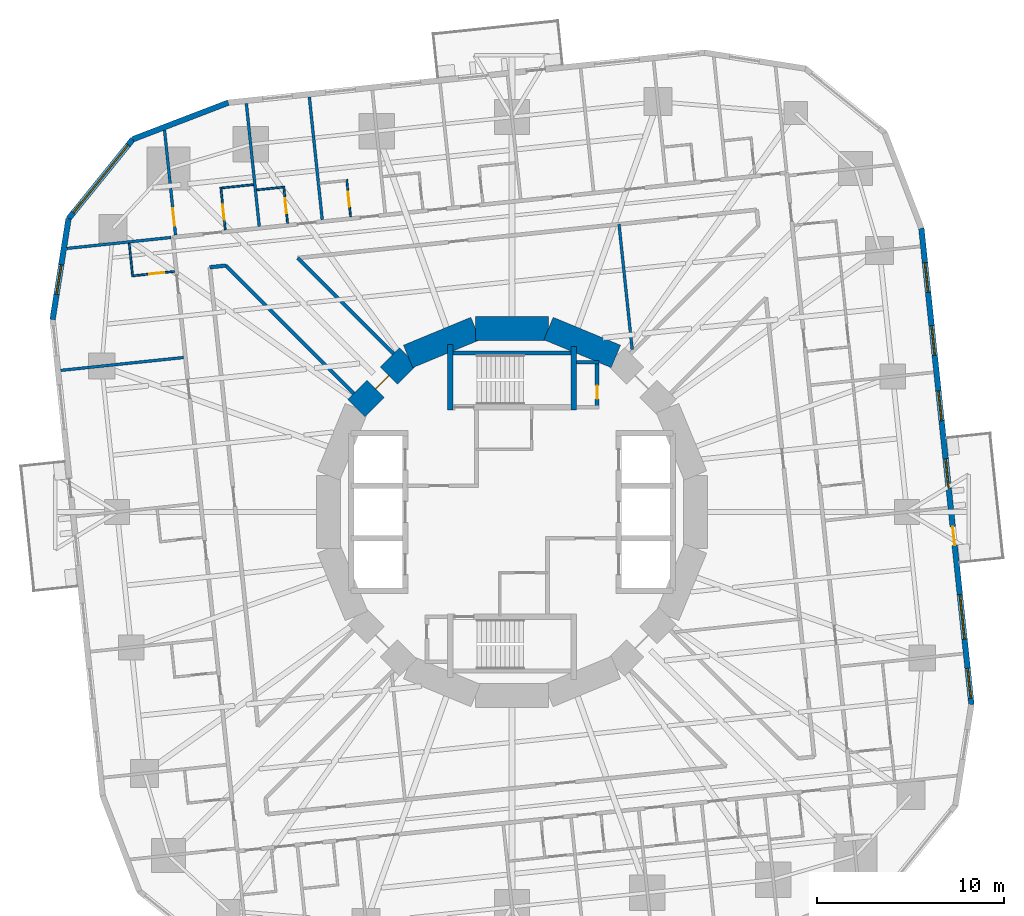
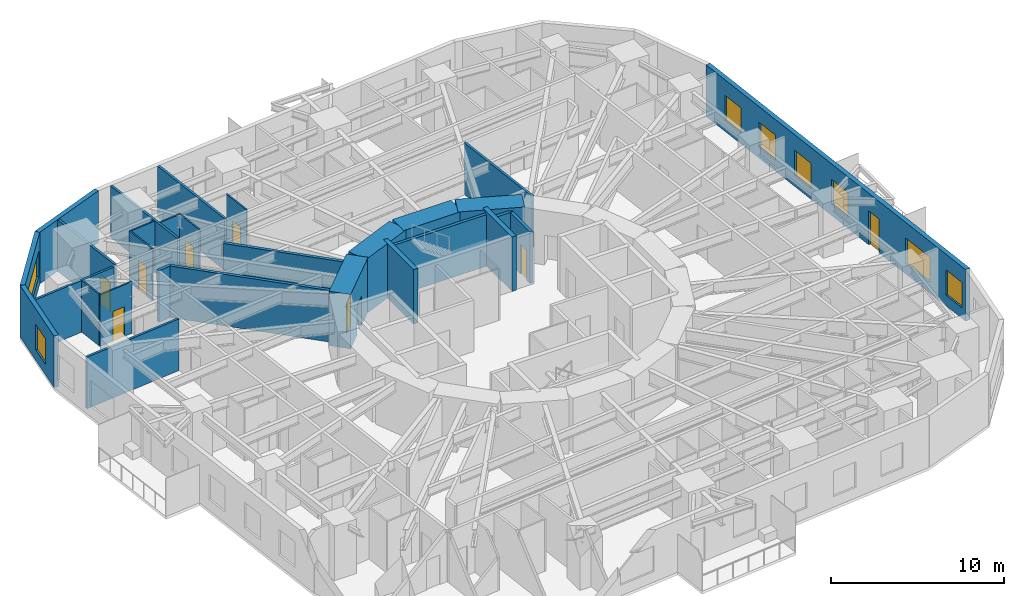
# One storey, part 9 of 13: 29 walls, 8 doors, 8 windows, 16 openings.
"""IFC4 building model written with IfcOpenShell, lengths in metres."""

from ifc_helpers import new_model, si_unit, direction, frame, frame_2d, origin, place, context, subcontext, project, spatial, rectangle, extrude, material, layer, layer_set, type_object, element, fill, save


model = new_model("IFC4")

# Units and contexts
model_context = context("Model", 3, precision=1e-05, world=origin(), true_north=direction((0.0, 1.0)))
body_context = subcontext(model_context, "Body", "Model", "MODEL_VIEW")
ifc_project = project(units=[si_unit("LENGTHUNIT", "METRE"), si_unit("AREAUNIT", "SQUARE_METRE"), si_unit("VOLUMEUNIT", "CUBIC_METRE"), si_unit("PLANEANGLEUNIT", "RADIAN"), si_unit("MASSUNIT", "GRAM", prefix="KILO")], contexts=[model_context])

# Site, building, storey
site_placement = place(None, origin())
site = spatial("IfcSite", under=ifc_project, at=site_placement, CompositionType="ELEMENT")
building_placement = place(site_placement, origin())
building = spatial("IfcBuilding", under=site, at=building_placement, Name="Nakasero Lantern House", CompositionType="ELEMENT")
storey_placement = place(building_placement, frame((0.0, 0.0, 75.89990234375)))
storey = spatial("IfcBuildingStorey", under=building, at=storey_placement, Name="L18", CompositionType="ELEMENT", Elevation=75.89990234375)

# Walls
ifc_material_1 = material(Name="Concrete C50/60", Category="concrete")
ifc_layer_1 = layer(ifc_material_1, 0.300048828125)
ifc_layer_set_1 = layer_set([ifc_layer_1], Name="Core inner wall 300")
wall_type_1 = type_object("IfcWallType", Name="Core inner wall 300", PredefinedType="SHEAR", material=ifc_layer_set_1)
wall_1_placement = place(storey_placement, frame((-3.300048828125, 5.449951171875, 0.0), z_axis=(0.0, 0.0, 1.0), x_axis=(0.0, 1.0, 0.0)))
element("IfcWall", 1, at=wall_1_placement, inside=storey, type_object=wall_type_1, Name="Core inner wall L18 SNW", PredefinedType="SHEAR", context=body_context, shape_type="SweptSolid", body=[
    extrude(rectangle(XDim=3.5, YDim=0.300048828125, at=frame_2d((1.75, 0.0))), origin(), (0.0, 0.0, 1.0), 3.85009765625),
])
wall_2_placement = place(storey_placement, frame((3.300048828125, 5.449951171875, 0.0), z_axis=(0.0, 0.0, 1.0), x_axis=(0.0, 1.0, 0.0)))
element("IfcWall", 2, at=wall_2_placement, inside=storey, type_object=wall_type_1, Name="Core inner wall L18 SNE", PredefinedType="SHEAR", context=body_context, shape_type="SweptSolid", body=[
    extrude(rectangle(XDim=3.400146484375, YDim=0.300048828125, at=frame_2d((1.7001953125, 0.0))), origin(), (0.0, 0.0, 1.0), 3.85009765625),
])
ifc_material_2 = material(Name="Concrete C50/60", Category="concrete")
ifc_layer_2 = layer(ifc_material_2, 1.300048828125)
ifc_layer_set_2 = layer_set([ifc_layer_2], Name="Core wall 1300")
wall_type_2 = type_object("IfcWallType", Name="Core wall 1300", PredefinedType="SHEAR", material=ifc_layer_set_2)
for number, where, z_axis, x_axis, name in (
    (3, (5.5556640625, 8.314697265625, 0.0), (0.0, 0.0, 1.0), (-0.923876507187, 0.382690736062, 0.0), "Core wall L18 facet 3"),
    (4, (1.950927734375, 9.807861328125, 0.0), (0.0, 0.0, 1.0), (-1.0, 0.0, 0.0), "Core wall L18 facet 4"),
    (5, (-1.950927734375, 9.807861328125, 0.0), (0.0, 0.0, 1.0), (-0.923876507187, -0.382690736062, 0.0), "Core wall L18 facet 5"),
):
    element("IfcWall", number, at=place(storey_placement, frame(where, z_axis=z_axis, x_axis=x_axis)), inside=storey, type_object=wall_type_2, Name=name, PredefinedType="SHEAR", context=body_context, shape_type="SweptSolid", body=[
        extrude(rectangle(XDim=3.90185546875, YDim=1.300048828125, at=frame_2d((1.950927734375, 0.0))), origin(), (0.0, 0.0, 1.0), 3.85009765625),
    ])

# Wall, opening, door
wall_3_placement = place(storey_placement, frame((-5.5556640625, 8.314697265625, 0.0), z_axis=(0.0, 0.0, 1.0), x_axis=(-0.707106781187, -0.707106781187, 0.0)))
wall_3 = element("IfcWall", 6, at=wall_3_placement, inside=storey, type_object=wall_type_2, Name="Core wall L18 facet 6", PredefinedType="SHEAR", context=body_context, shape_type="SweptSolid", body=[
    extrude(rectangle(XDim=3.90185546875, YDim=1.300048828125, at=frame_2d((1.950927734375, 0.0))), origin(), (0.0, 0.0, 1.0), 3.85009765625),
])
opening_1_placement = place(wall_3_placement, frame((1.450927734375, 0.0, 0.0)))
opening_1 = element("IfcOpeningElement", 7, at=opening_1_placement, cuts=wall_3, Name="Opening D05", PredefinedType="OPENING", context=body_context, shape_type="SweptSolid", body=[
    extrude(rectangle(XDim=1.0, YDim=2.10009765625, at=frame_2d((0.5, 1.050048828125))), frame((0.0, 0.669921875, 0.0), z_axis=(0.0, -1.0, 0.0), x_axis=(1.0, 0.0, 0.0)), (0.0, 0.0, 1.0), 1.340087890625),
])
ifc_material_3 = material(Name="Timber C24", Category="wood")
door_type_1 = type_object("IfcDoorType", Name="Core door FD60S 1000", OperationType="SINGLE_SWING_LEFT", PredefinedType="DOOR", material=ifc_material_3)
door_1_placement = place(opening_1_placement, origin())
door_1 = element("IfcDoor", 8, at=door_1_placement, inside=storey, type_object=door_type_1, Name="Door L18 D-CORE06", OperationType="SINGLE_SWING_LEFT", OverallHeight=2.10009765625, OverallWidth=1.0, PredefinedType="DOOR", context=body_context, shape_type="SweptSolid", body=[
    extrude(rectangle(XDim=1.0, YDim=2.10009765625, at=frame_2d((0.5, 1.050048828125))), frame((0.0, 0.02490234375, 0.0), z_axis=(0.0, -1.0, 0.0), x_axis=(1.0, 0.0, 0.0)), (0.0, 0.0, 1.0), 0.050048828125),
])
fill(opening_1, door_1)

# Walls
ifc_material_4 = material(Name="Blockwork", Category="masonry")
ifc_layer_3 = layer(ifc_material_4, 0.199951171875)
ifc_layer_set_3 = layer_set([ifc_layer_3], Name="Corridor wall 200")
wall_type_3 = type_object("IfcWallType", Name="Corridor wall 200", PredefinedType="PARTITIONING", material=ifc_layer_set_3)
wall_4_placement = place(storey_placement, frame((-8.45556640625, 6.334228515625, 0.0), z_axis=(0.0, 0.0, 1.0), x_axis=(-0.707106781187, 0.707106781187, 0.0)))
element("IfcWall", 9, at=wall_4_placement, inside=storey, type_object=wall_type_3, Name="Corridor wall L18 PS06a", PredefinedType="PARTITIONING", context=body_context, shape_type="SweptSolid", body=[
    extrude(rectangle(XDim=9.671875, YDim=0.199951171875, at=frame_2d((4.8359375, 0.0))), origin(), (0.0, 0.0, 1.0), 3.650146484375),
])
wall_5_placement = place(storey_placement, frame((-6.334228515625, 8.45556640625, 0.0), z_axis=(0.0, 0.0, 1.0), x_axis=(-0.707106781187, 0.707106781187, 0.0)))
element("IfcWall", 10, at=wall_5_placement, inside=storey, type_object=wall_type_3, Name="Corridor wall L18 PS06b", PredefinedType="PARTITIONING", context=body_context, shape_type="SweptSolid", body=[
    extrude(rectangle(XDim=7.24267578125, YDim=0.199951171875, at=frame_2d((3.621337890625, 0.0))), origin(), (0.0, 0.0, 1.0), 3.650146484375),
])
wall_6_placement = place(storey_placement, frame((-16.156005859375, 13.0830078125, 0.0), z_axis=(0.0, 0.0, 1.0), x_axis=(0.994545540927, 0.104303245505, 0.0)))
element("IfcWall", 11, at=wall_6_placement, inside=storey, type_object=wall_type_3, Name="Corridor wall L18 IW2-0R0", PredefinedType="PARTITIONING", context=body_context, shape_type="SweptSolid", body=[
    extrude(rectangle(XDim=0.865966796875, YDim=0.199951171875, at=frame_2d((0.43310546875, 0.0))), origin(), (0.0, 0.0, 1.0), 3.650146484375),
])

# Wall, opening, door
ifc_material_5 = material(Name="Blockwork", Category="masonry")
ifc_layer_4 = layer(ifc_material_5, 0.10009765625)
ifc_layer_set_4 = layer_set([ifc_layer_4], Name="En-suite wall 100")
wall_type_4 = type_object("IfcWallType", Name="En-suite wall 100", PredefinedType="PARTITIONING", material=ifc_layer_set_4)
wall_7_placement = place(storey_placement, frame((-8.627685546875, 15.78466796875, 0.0), z_axis=(0.0, 0.0, 1.0), x_axis=(-0.104614886044, 0.994512808172, 0.0)))
wall_7 = element("IfcWall", 12, at=wall_7_placement, inside=storey, type_object=wall_type_4, Name="En-suite wall L18 ES1-06", PredefinedType="PARTITIONING", context=body_context, shape_type="SweptSolid", body=[
    extrude(rectangle(XDim=2.0, YDim=0.10009765625, at=frame_2d((1.0, 0.0))), origin(), (0.0, 0.0, 1.0), 3.650146484375),
])
opening_2_placement = place(wall_7_placement, frame((0.550048828125, 0.0, 0.0)))
opening_2 = element("IfcOpeningElement", 13, at=opening_2_placement, cuts=wall_7, Name="Opening D02", PredefinedType="OPENING", context=body_context, shape_type="SweptSolid", body=[
    extrude(rectangle(XDim=0.800048828125, YDim=2.10009765625, at=frame_2d((0.39990234375, 1.050048828125))), frame((0.0, 0.070068359375, 0.0), z_axis=(0.0, -1.0, 0.0), x_axis=(1.0, 0.0, 0.0)), (0.0, 0.0, 1.0), 0.14013671875),
])
ifc_material_6 = material(Name="Timber C24", Category="wood")
door_type_2 = type_object("IfcDoorType", Name="En-suite door 800", OperationType="SINGLE_SWING_RIGHT", PredefinedType="DOOR", material=ifc_material_6)
door_2_placement = place(opening_2_placement, origin())
door_2 = element("IfcDoor", 14, at=door_2_placement, inside=storey, type_object=door_type_2, Name="Door L18 DE1-06", OperationType="SINGLE_SWING_LEFT", OverallHeight=2.10009765625, OverallWidth=0.800048828125, PredefinedType="DOOR", context=body_context, shape_type="SweptSolid", body=[
    extrude(rectangle(XDim=0.800048828125, YDim=2.10009765625, at=frame_2d((0.39990234375, 1.050048828125))), frame((0.0, 0.02490234375, 0.0), z_axis=(0.0, -1.0, 0.0), x_axis=(1.0, 0.0, 0.0)), (0.0, 0.0, 1.0), 0.050048828125),
])
fill(opening_2, door_2)

wall_8_placement = place(storey_placement, frame((-11.994873046875, 15.4306640625, 0.0), z_axis=(0.0, 0.0, 1.0), x_axis=(-0.104494148666, 0.99452550138, 0.0)))
wall_8 = element("IfcWall", 15, at=wall_8_placement, inside=storey, type_object=wall_type_4, Name="En-suite wall L18 ES1-07", PredefinedType="PARTITIONING", context=body_context, shape_type="SweptSolid", body=[
    extrude(rectangle(XDim=2.0, YDim=0.10009765625, at=frame_2d((1.0, 0.0))), origin(), (0.0, 0.0, 1.0), 3.650146484375),
])
opening_3_placement = place(wall_8_placement, frame((0.550048828125, 0.0, 0.0)))
opening_3 = element("IfcOpeningElement", 16, at=opening_3_placement, cuts=wall_8, Name="Opening D02", PredefinedType="OPENING", context=body_context, shape_type="SweptSolid", body=[
    extrude(rectangle(XDim=0.800048828125, YDim=2.10009765625, at=frame_2d((0.39990234375, 1.050048828125))), frame((0.0, 0.070068359375, 0.0), z_axis=(0.0, -1.0, 0.0), x_axis=(1.0, 0.0, 0.0)), (0.0, 0.0, 1.0), 0.14013671875),
])
door_3_placement = place(opening_3_placement, origin())
door_3 = element("IfcDoor", 17, at=door_3_placement, inside=storey, type_object=door_type_2, Name="Door L18 DE1-07", OperationType="SINGLE_SWING_LEFT", OverallHeight=2.10009765625, OverallWidth=0.800048828125, PredefinedType="DOOR", context=body_context, shape_type="SweptSolid", body=[
    extrude(rectangle(XDim=0.800048828125, YDim=2.10009765625, at=frame_2d((0.39990234375, 1.050048828125))), frame((0.0, 0.02490234375, 0.0), z_axis=(0.0, -1.0, 0.0), x_axis=(1.0, 0.0, 0.0)), (0.0, 0.0, 1.0), 0.050048828125),
])
fill(opening_3, door_3)

# Wall
wall_9_placement = place(storey_placement, frame((-12.248291015625, 17.36474609375, 0.0), z_axis=(0.0, 0.0, 1.0), x_axis=(-0.994529315664, -0.104457839748, 0.0)))
element("IfcWall", 18, at=wall_9_placement, inside=storey, type_object=wall_type_4, Name="En-suite wall L18 EE1-07", PredefinedType="PARTITIONING", context=body_context, shape_type="SweptSolid", body=[
    extrude(rectangle(XDim=1.39990234375, YDim=0.10009765625, at=frame_2d((0.699951171875, 0.0))), origin(), (0.0, 0.0, 1.0), 3.650146484375),
])

# Wall, opening, door
wall_10_placement = place(storey_placement, frame((-15.326416015625, 15.08056640625, 0.0), z_axis=(0.0, 0.0, 1.0), x_axis=(-0.104557694553, 0.994518822602, 0.0)))
wall_10 = element("IfcWall", 19, at=wall_10_placement, inside=storey, type_object=wall_type_4, Name="En-suite wall L18 ES1-08", PredefinedType="PARTITIONING", context=body_context, shape_type="SweptSolid", body=[
    extrude(rectangle(XDim=2.300048828125, YDim=0.10009765625, at=frame_2d((1.14990234375, 0.0))), origin(), (0.0, 0.0, 1.0), 3.650146484375),
])
opening_4_placement = place(wall_10_placement, frame((0.550048828125, 0.0, 0.0)))
opening_4 = element("IfcOpeningElement", 20, at=opening_4_placement, cuts=wall_10, Name="Opening D02", PredefinedType="OPENING", context=body_context, shape_type="SweptSolid", body=[
    extrude(rectangle(XDim=0.800048828125, YDim=2.10009765625, at=frame_2d((0.39990234375, 1.050048828125))), frame((0.0, 0.070068359375, 0.0), z_axis=(0.0, -1.0, 0.0), x_axis=(1.0, 0.0, 0.0)), (0.0, 0.0, 1.0), 0.14013671875),
])
door_4_placement = place(opening_4_placement, origin())
door_4 = element("IfcDoor", 21, at=door_4_placement, inside=storey, type_object=door_type_2, Name="Door L18 DE1-08", OperationType="SINGLE_SWING_LEFT", OverallHeight=2.10009765625, OverallWidth=0.800048828125, PredefinedType="DOOR", context=body_context, shape_type="SweptSolid", body=[
    extrude(rectangle(XDim=0.800048828125, YDim=2.10009765625, at=frame_2d((0.39990234375, 1.050048828125))), frame((0.0, 0.02490234375, 0.0), z_axis=(0.0, -1.0, 0.0), x_axis=(1.0, 0.0, 0.0)), (0.0, 0.0, 1.0), 0.050048828125),
])
fill(opening_4, door_4)

# Wall
wall_11_placement = place(storey_placement, frame((-13.8212890625, 17.501220703125, 0.0), z_axis=(0.0, 0.0, 1.0), x_axis=(-0.994519608382, -0.104550220202, 0.0)))
element("IfcWall", 22, at=wall_11_placement, inside=storey, type_object=wall_type_4, Name="En-suite wall L18 EE1-08", PredefinedType="PARTITIONING", context=body_context, shape_type="SweptSolid", body=[
    extrude(rectangle(XDim=1.699951171875, YDim=0.10009765625, at=frame_2d((0.85009765625, 0.0))), origin(), (0.0, 0.0, 1.0), 3.650146484375),
])

# Wall, opening, door
wall_12_placement = place(storey_placement, frame((-18.04296875, 12.859375, 0.0), z_axis=(0.0, 0.0, 1.0), x_axis=(-0.994529855142, -0.104452703326, 0.0)))
wall_12 = element("IfcWall", 23, at=wall_12_placement, inside=storey, type_object=wall_type_4, Name="En-suite wall L18 ES2-00", PredefinedType="PARTITIONING", context=body_context, shape_type="SweptSolid", body=[
    extrude(rectangle(XDim=2.300048828125, YDim=0.10009765625, at=frame_2d((1.14990234375, 0.0))), origin(), (0.0, 0.0, 1.0), 3.650146484375),
])
opening_5_placement = place(wall_12_placement, frame((0.550048828125, 0.0, 0.0)))
opening_5 = element("IfcOpeningElement", 24, at=opening_5_placement, cuts=wall_12, Name="Opening D02", PredefinedType="OPENING", context=body_context, shape_type="SweptSolid", body=[
    extrude(rectangle(XDim=0.800048828125, YDim=2.10009765625, at=frame_2d((0.39990234375, 1.050048828125))), frame((0.0, 0.070068359375, 0.0), z_axis=(0.0, -1.0, 0.0), x_axis=(1.0, 0.0, 0.0)), (0.0, 0.0, 1.0), 0.14013671875),
])
door_5_placement = place(opening_5_placement, origin())
door_5 = element("IfcDoor", 25, at=door_5_placement, inside=storey, type_object=door_type_2, Name="Door L18 DE2-00", OperationType="SINGLE_SWING_LEFT", OverallHeight=2.10009765625, OverallWidth=0.800048828125, PredefinedType="DOOR", context=body_context, shape_type="SweptSolid", body=[
    extrude(rectangle(XDim=0.800048828125, YDim=2.10009765625, at=frame_2d((0.39990234375, 1.050048828125))), frame((0.0, 0.02490234375, 0.0), z_axis=(0.0, -1.0, 0.0), x_axis=(1.0, 0.0, 0.0)), (0.0, 0.0, 1.0), 0.050048828125),
])
fill(opening_5, door_5)

# Wall
wall_13_placement = place(storey_placement, frame((-20.463623046875, 14.36474609375, 0.0), z_axis=(0.0, 0.0, 1.0), x_axis=(0.104550220202, -0.994519608382, 0.0)))
element("IfcWall", 26, at=wall_13_placement, inside=storey, type_object=wall_type_4, Name="En-suite wall L18 EE2-00", PredefinedType="PARTITIONING", context=body_context, shape_type="SweptSolid", body=[
    extrude(rectangle(XDim=1.699951171875, YDim=0.10009765625, at=frame_2d((0.85009765625, 0.0))), origin(), (0.0, 0.0, 1.0), 3.650146484375),
])

# Wall, openings, door, windows
ifc_material_7 = material(Name="Aluminium rainscreen on blockwork", Category="masonry")
ifc_layer_5 = layer(ifc_material_7, 0.300048828125)
ifc_layer_set_5 = layer_set([ifc_layer_5], Name="Facade wall 300")
wall_type_5 = type_object("IfcWallType", Name="Facade wall 300", PredefinedType="SOLIDWALL", material=ifc_layer_set_5)
wall_14_placement = place(storey_placement, frame((24.56005859375, -10.2890625, 0.0), z_axis=(0.0, 0.0, 1.0), x_axis=(-0.104532378096, 0.994521483895, 0.0)))
wall_14 = element("IfcWall", 27, at=wall_14_placement, inside=storey, type_object=wall_type_5, Name="Facade wall L18 FW0S", PredefinedType="SOLIDWALL", context=body_context, shape_type="SweptSolid", body=[
    extrude(rectangle(XDim=25.599853515625, YDim=0.300048828125, at=frame_2d((12.7998046875, 0.0))), origin(), (0.0, 0.0, 1.0), 3.650146484375),
])
opening_6_placement = place(wall_14_placement, frame((0.337890625, 0.0, 0.75)))
opening_6 = element("IfcOpeningElement", 28, at=opening_6_placement, cuts=wall_14, Name="Opening W01", PredefinedType="OPENING", context=body_context, shape_type="SweptSolid", body=[
    extrude(rectangle(XDim=1.60009765625, YDim=1.800048828125, at=frame_2d((0.800048828125, 0.89990234375))), frame((0.0, 0.169921875, 0.0), z_axis=(0.0, -1.0, 0.0), x_axis=(1.0, 0.0, 0.0)), (0.0, 0.0, 1.0), 0.340087890625),
])
opening_7_placement = place(wall_14_placement, frame((11.612060546875, 0.0, 0.75)))
opening_7 = element("IfcOpeningElement", 29, at=opening_7_placement, cuts=wall_14, Name="Opening W01", PredefinedType="OPENING", context=body_context, shape_type="SweptSolid", body=[
    extrude(rectangle(XDim=1.60009765625, YDim=1.800048828125, at=frame_2d((0.800048828125, 0.89990234375))), frame((0.0, 0.169921875, 0.0), z_axis=(0.0, -1.0, 0.0), x_axis=(1.0, 0.0, 0.0)), (0.0, 0.0, 1.0), 0.340087890625),
])
opening_8_placement = place(wall_14_placement, frame((15.250732421875, 0.0, 0.75)))
opening_8 = element("IfcOpeningElement", 30, at=opening_8_placement, cuts=wall_14, Name="Opening W01", PredefinedType="OPENING", context=body_context, shape_type="SweptSolid", body=[
    extrude(rectangle(XDim=1.60009765625, YDim=1.800048828125, at=frame_2d((0.800048828125, 0.89990234375))), frame((0.0, 0.169921875, 0.0), z_axis=(0.0, -1.0, 0.0), x_axis=(1.0, 0.0, 0.0)), (0.0, 0.0, 1.0), 0.340087890625),
])
opening_9_placement = place(wall_14_placement, frame((18.7626953125, 0.0, 0.75)))
opening_9 = element("IfcOpeningElement", 31, at=opening_9_placement, cuts=wall_14, Name="Opening W01", PredefinedType="OPENING", context=body_context, shape_type="SweptSolid", body=[
    extrude(rectangle(XDim=1.60009765625, YDim=1.800048828125, at=frame_2d((0.800048828125, 0.89990234375))), frame((0.0, 0.169921875, 0.0), z_axis=(0.0, -1.0, 0.0), x_axis=(1.0, 0.0, 0.0)), (0.0, 0.0, 1.0), 0.340087890625),
])
opening_10_placement = place(wall_14_placement, frame((22.1484375, 0.0, 0.75)))
opening_10 = element("IfcOpeningElement", 32, at=opening_10_placement, cuts=wall_14, Name="Opening W01", PredefinedType="OPENING", context=body_context, shape_type="SweptSolid", body=[
    extrude(rectangle(XDim=1.60009765625, YDim=1.800048828125, at=frame_2d((0.800048828125, 0.89990234375))), frame((0.0, 0.169921875, 0.0), z_axis=(0.0, -1.0, 0.0), x_axis=(1.0, 0.0, 0.0)), (0.0, 0.0, 1.0), 0.340087890625),
])
opening_11_placement = place(wall_14_placement, frame((3.51123046875, 0.0, 0.75)))
opening_11 = element("IfcOpeningElement", 33, at=opening_11_placement, cuts=wall_14, Name="Opening W03", PredefinedType="OPENING", context=body_context, shape_type="SweptSolid", body=[
    extrude(rectangle(XDim=2.39990234375, YDim=1.800048828125, at=frame_2d((1.199951171875, 0.89990234375))), frame((0.0, 0.169921875, 0.0), z_axis=(0.0, -1.0, 0.0), x_axis=(1.0, 0.0, 0.0)), (0.0, 0.0, 1.0), 0.340087890625),
])
opening_12_placement = place(wall_14_placement, frame((8.558837890625, 0.0, 0.0)))
opening_12 = element("IfcOpeningElement", 34, at=opening_12_placement, cuts=wall_14, Name="Opening D04", PredefinedType="OPENING", context=body_context, shape_type="SweptSolid", body=[
    extrude(rectangle(XDim=1.0, YDim=2.39990234375, at=frame_2d((0.5, 1.199951171875))), frame((0.0, 0.169921875, 0.0), z_axis=(0.0, -1.0, 0.0), x_axis=(1.0, 0.0, 0.0)), (0.0, 0.0, 1.0), 0.340087890625),
])
ifc_material_8 = material(Name="Aluminium 6063-T6 and glass", Category="aluminium")
door_type_3 = type_object("IfcDoorType", Name="Balcony door 1000x2400", OperationType="SINGLE_SWING_RIGHT", PredefinedType="DOOR", material=ifc_material_8)
door_6_placement = place(opening_12_placement, origin())
door_6 = element("IfcDoor", 35, at=door_6_placement, inside=storey, type_object=door_type_3, Name="Balcony door L18 DB0", OperationType="SINGLE_SWING_RIGHT", OverallHeight=2.39990234375, OverallWidth=1.0, PredefinedType="DOOR", context=body_context, shape_type="SweptSolid", body=[
    extrude(rectangle(XDim=1.0, YDim=2.39990234375, at=frame_2d((0.5, 1.199951171875))), frame((0.0, 0.02490234375, 0.0), z_axis=(0.0, -1.0, 0.0), x_axis=(1.0, 0.0, 0.0)), (0.0, 0.0, 1.0), 0.050048828125),
])
fill(opening_12, door_6)
ifc_material_9 = material(Name="Aluminium 6063-T6 and glass", Category="aluminium")
window_type_1 = type_object("IfcWindowType", Name="Bedroom window 1600x1800", PartitioningType="SINGLE_PANEL", PredefinedType="WINDOW", material=ifc_material_9)
window_1_placement = place(opening_6_placement, origin())
window_1 = element("IfcWindow", 36, at=window_1_placement, inside=storey, type_object=window_type_1, Name="Window L18 WN0-01", OverallHeight=1.800048828125, OverallWidth=1.60009765625, PartitioningType="SINGLE_PANEL", PredefinedType="WINDOW", context=body_context, shape_type="SweptSolid", body=[
    extrude(rectangle(XDim=1.60009765625, YDim=1.800048828125, at=frame_2d((0.800048828125, 0.89990234375))), frame((0.0, 0.030029296875, 0.0), z_axis=(0.0, -1.0, 0.0), x_axis=(1.0, 0.0, 0.0)), (0.0, 0.0, 1.0), 0.06005859375),
])
fill(opening_6, window_1)
window_2_placement = place(opening_7_placement, origin())
window_2 = element("IfcWindow", 37, at=window_2_placement, inside=storey, type_object=window_type_1, Name="Window L18 WN0-04", OverallHeight=1.800048828125, OverallWidth=1.60009765625, PartitioningType="SINGLE_PANEL", PredefinedType="WINDOW", context=body_context, shape_type="SweptSolid", body=[
    extrude(rectangle(XDim=1.60009765625, YDim=1.800048828125, at=frame_2d((0.800048828125, 0.89990234375))), frame((0.0, 0.030029296875, 0.0), z_axis=(0.0, -1.0, 0.0), x_axis=(1.0, 0.0, 0.0)), (0.0, 0.0, 1.0), 0.06005859375),
])
fill(opening_7, window_2)
window_3_placement = place(opening_8_placement, origin())
window_3 = element("IfcWindow", 38, at=window_3_placement, inside=storey, type_object=window_type_1, Name="Window L18 WN0-05", OverallHeight=1.800048828125, OverallWidth=1.60009765625, PartitioningType="SINGLE_PANEL", PredefinedType="WINDOW", context=body_context, shape_type="SweptSolid", body=[
    extrude(rectangle(XDim=1.60009765625, YDim=1.800048828125, at=frame_2d((0.800048828125, 0.89990234375))), frame((0.0, 0.030029296875, 0.0), z_axis=(0.0, -1.0, 0.0), x_axis=(1.0, 0.0, 0.0)), (0.0, 0.0, 1.0), 0.06005859375),
])
fill(opening_8, window_3)
window_4_placement = place(opening_9_placement, origin())
window_4 = element("IfcWindow", 39, at=window_4_placement, inside=storey, type_object=window_type_1, Name="Window L18 WN0-06", OverallHeight=1.800048828125, OverallWidth=1.60009765625, PartitioningType="SINGLE_PANEL", PredefinedType="WINDOW", context=body_context, shape_type="SweptSolid", body=[
    extrude(rectangle(XDim=1.60009765625, YDim=1.800048828125, at=frame_2d((0.800048828125, 0.89990234375))), frame((0.0, 0.030029296875, 0.0), z_axis=(0.0, -1.0, 0.0), x_axis=(1.0, 0.0, 0.0)), (0.0, 0.0, 1.0), 0.06005859375),
])
fill(opening_9, window_4)
window_5_placement = place(opening_10_placement, origin())
window_5 = element("IfcWindow", 40, at=window_5_placement, inside=storey, type_object=window_type_1, Name="Window L18 WN0-07", OverallHeight=1.800048828125, OverallWidth=1.60009765625, PartitioningType="SINGLE_PANEL", PredefinedType="WINDOW", context=body_context, shape_type="SweptSolid", body=[
    extrude(rectangle(XDim=1.60009765625, YDim=1.800048828125, at=frame_2d((0.800048828125, 0.89990234375))), frame((0.0, 0.030029296875, 0.0), z_axis=(0.0, -1.0, 0.0), x_axis=(1.0, 0.0, 0.0)), (0.0, 0.0, 1.0), 0.06005859375),
])
fill(opening_10, window_5)
ifc_material_10 = material(Name="Aluminium 6063-T6 and glass", Category="aluminium")
window_type_2 = type_object("IfcWindowType", Name="Lounge window 2400x1800", PartitioningType="SINGLE_PANEL", PredefinedType="WINDOW", material=ifc_material_10)
window_6_placement = place(opening_11_placement, origin())
window_6 = element("IfcWindow", 41, at=window_6_placement, inside=storey, type_object=window_type_2, Name="Window L18 WK0", OverallHeight=1.800048828125, OverallWidth=2.39990234375, PartitioningType="SINGLE_PANEL", PredefinedType="WINDOW", context=body_context, shape_type="SweptSolid", body=[
    extrude(rectangle(XDim=2.39990234375, YDim=1.800048828125, at=frame_2d((1.199951171875, 0.89990234375))), frame((0.0, 0.030029296875, 0.0), z_axis=(0.0, -1.0, 0.0), x_axis=(1.0, 0.0, 0.0)), (0.0, 0.0, 1.0), 0.06005859375),
])
fill(opening_11, window_6)

# Wall
wall_15_placement = place(storey_placement, frame((-15.170654296875, 21.884033203125, 0.0), z_axis=(0.0, 0.0, 1.0), x_axis=(-0.933583906079, -0.358358884793, 0.0)))
element("IfcWall", 42, at=wall_15_placement, inside=storey, type_object=wall_type_5, Name="Facade wall L18 FW1C1", PredefinedType="SOLIDWALL", context=body_context, shape_type="SweptSolid", body=[
    extrude(rectangle(XDim=5.461181640625, YDim=0.300048828125, at=frame_2d((2.73046875, 0.0))), origin(), (0.0, 0.0, 1.0), 3.650146484375),
])

# Wall, opening, window
wall_16_placement = place(storey_placement, frame((-20.26904296875, 19.927001953125, 0.0), z_axis=(0.0, 0.0, 1.0), x_axis=(-0.629334543442, -0.777134500863, 0.0)))
wall_16 = element("IfcWall", 43, at=wall_16_placement, inside=storey, type_object=wall_type_5, Name="Facade wall L18 FW1C2", PredefinedType="SOLIDWALL", context=body_context, shape_type="SweptSolid", body=[
    extrude(rectangle(XDim=5.4609375, YDim=0.300048828125, at=frame_2d((2.73046875, 0.0))), origin(), (0.0, 0.0, 1.0), 3.650146484375),
])
opening_13_placement = place(wall_16_placement, frame((0.39990234375, 0.0, 0.75)))
opening_13 = element("IfcOpeningElement", 44, at=opening_13_placement, cuts=wall_16, Name="Opening W246", PredefinedType="OPENING", context=body_context, shape_type="SweptSolid", body=[
    extrude(rectangle(XDim=4.660888671875, YDim=1.800048828125, at=frame_2d((2.33056640625, 0.89990234375))), frame((0.0, 0.169921875, 0.0), z_axis=(0.0, -1.0, 0.0), x_axis=(1.0, 0.0, 0.0)), (0.0, 0.0, 1.0), 0.340087890625),
])
ifc_material_11 = material(Name="Aluminium 6063-T6 and glass", Category="aluminium")
window_type_3 = type_object("IfcWindowType", Name="Corner window 4661x1800", PartitioningType="SINGLE_PANEL", PredefinedType="WINDOW", material=ifc_material_11)
window_7_placement = place(opening_13_placement, origin())
window_7 = element("IfcWindow", 45, at=window_7_placement, inside=storey, type_object=window_type_3, Name="Window L18 WC1", OverallHeight=1.800048828125, OverallWidth=4.660888671875, PartitioningType="SINGLE_PANEL", PredefinedType="WINDOW", context=body_context, shape_type="SweptSolid", body=[
    extrude(rectangle(XDim=4.660888671875, YDim=1.800048828125, at=frame_2d((2.33056640625, 0.89990234375))), frame((0.0, 0.030029296875, 0.0), z_axis=(0.0, -1.0, 0.0), x_axis=(1.0, 0.0, 0.0)), (0.0, 0.0, 1.0), 0.06005859375),
])
fill(opening_13, window_7)

wall_17_placement = place(storey_placement, frame((-23.705810546875, 15.68310546875, 0.0), z_axis=(0.0, 0.0, 1.0), x_axis=(-0.156419383601, -0.987690729142, 0.0)))
wall_17 = element("IfcWall", 46, at=wall_17_placement, inside=storey, type_object=wall_type_5, Name="Facade wall L18 FW1C3", PredefinedType="SOLIDWALL", context=body_context, shape_type="SweptSolid", body=[
    extrude(rectangle(XDim=5.461181640625, YDim=0.300048828125, at=frame_2d((2.73046875, 0.0))), origin(), (0.0, 0.0, 1.0), 3.650146484375),
])
opening_14_placement = place(wall_17_placement, frame((2.5, 0.0, 0.75)))
opening_14 = element("IfcOpeningElement", 47, at=opening_14_placement, cuts=wall_17, Name="Opening W01", PredefinedType="OPENING", context=body_context, shape_type="SweptSolid", body=[
    extrude(rectangle(XDim=1.60009765625, YDim=1.800048828125, at=frame_2d((0.800048828125, 0.89990234375))), frame((0.0, 0.169921875, 0.0), z_axis=(0.0, -1.0, 0.0), x_axis=(1.0, 0.0, 0.0)), (0.0, 0.0, 1.0), 0.340087890625),
])
window_8_placement = place(opening_14_placement, origin())
window_8 = element("IfcWindow", 48, at=window_8_placement, inside=storey, type_object=window_type_1, Name="Window L18 WN2-00", OverallHeight=1.800048828125, OverallWidth=1.60009765625, PartitioningType="SINGLE_PANEL", PredefinedType="WINDOW", context=body_context, shape_type="SweptSolid", body=[
    extrude(rectangle(XDim=1.60009765625, YDim=1.800048828125, at=frame_2d((0.800048828125, 0.89990234375))), frame((0.0, 0.030029296875, 0.0), z_axis=(0.0, -1.0, 0.0), x_axis=(1.0, 0.0, 0.0)), (0.0, 0.0, 1.0), 0.06005859375),
])
fill(opening_14, window_8)

# Wall, opening, door
ifc_material_12 = material(Name="Blockwork", Category="masonry")
ifc_layer_6 = layer(ifc_material_12, 0.199951171875)
ifc_layer_set_6 = layer_set([ifc_layer_6], Name="Fire lobby wall 200")
wall_type_6 = type_object("IfcWallType", Name="Fire lobby wall 200", PredefinedType="PARTITIONING", material=ifc_layer_set_6)
wall_18_placement = place(storey_placement, frame((4.550048828125, 5.60009765625, 0.0), z_axis=(0.0, 0.0, 1.0), x_axis=(0.0, 1.0, 0.0)))
wall_18 = element("IfcWall", 49, at=wall_18_placement, inside=storey, type_object=wall_type_6, Name="Fire lobby wall L18 W-RS1E", PredefinedType="PARTITIONING", context=body_context, shape_type="SweptSolid", body=[
    extrude(rectangle(XDim=2.39990234375, YDim=0.199951171875, at=frame_2d((1.199951171875, 0.0))), origin(), (0.0, 0.0, 1.0), 3.650146484375),
])
opening_15_placement = place(wall_18_placement, frame((0.449951171875, 0.0, 0.0)))
opening_15 = element("IfcOpeningElement", 50, at=opening_15_placement, cuts=wall_18, Name="Opening D06", PredefinedType="OPENING", context=body_context, shape_type="SweptSolid", body=[
    extrude(rectangle(XDim=0.699951171875, YDim=2.10009765625, at=frame_2d((0.35009765625, 1.050048828125))), frame((0.0, 0.119873046875, 0.0), z_axis=(0.0, -1.0, 0.0), x_axis=(1.0, 0.0, 0.0)), (0.0, 0.0, 1.0), 0.239990234375),
])
ifc_material_13 = material(Name="Steel S355", Category="steel")
door_type_4 = type_object("IfcDoorType", Name="Riser door FD60 700", OperationType="SINGLE_SWING_LEFT", PredefinedType="DOOR", material=ifc_material_13)
door_7_placement = place(opening_15_placement, origin())
door_7 = element("IfcDoor", 51, at=door_7_placement, inside=storey, type_object=door_type_4, Name="Door L18 D-RS1", OperationType="SINGLE_SWING_LEFT", OverallHeight=2.10009765625, OverallWidth=0.699951171875, PredefinedType="DOOR", context=body_context, shape_type="SweptSolid", body=[
    extrude(rectangle(XDim=0.699951171875, YDim=2.10009765625, at=frame_2d((0.35009765625, 1.050048828125))), frame((0.0, 0.02490234375, 0.0), z_axis=(0.0, -1.0, 0.0), x_axis=(1.0, 0.0, 0.0)), (0.0, 0.0, 1.0), 0.050048828125),
])
fill(opening_15, door_7)

# Walls
wall_19_placement = place(storey_placement, frame((3.449951171875, 8.0, 0.0), z_axis=(0.0, 0.0, 1.0), x_axis=(1.0, 0.0, 0.0)))
element("IfcWall", 52, at=wall_19_placement, inside=storey, type_object=wall_type_6, Name="Fire lobby wall L18 W-RS1N", PredefinedType="PARTITIONING", context=body_context, shape_type="SweptSolid", body=[
    extrude(rectangle(XDim=1.199951171875, YDim=0.199951171875, at=frame_2d((0.60009765625, 0.0))), origin(), (0.0, 0.0, 1.0), 3.650146484375),
])
wall_20_placement = place(storey_placement, frame((-3.300048828125, 8.5, 0.0), z_axis=(0.0, 0.0, 1.0), x_axis=(1.0, 0.0, 0.0)))
element("IfcWall", 53, at=wall_20_placement, inside=storey, type_object=wall_type_6, Name="Fire lobby wall L18 W-STN", PredefinedType="PARTITIONING", context=body_context, shape_type="SweptSolid", body=[
    extrude(rectangle(XDim=6.60009765625, YDim=0.199951171875, at=frame_2d((3.300048828125, 0.0))), origin(), (0.0, 0.0, 1.0), 3.650146484375),
])
ifc_material_14 = material(Name="Blockwork", Category="masonry")
ifc_layer_7 = layer(ifc_material_14, 0.14990234375)
ifc_layer_set_7 = layer_set([ifc_layer_7], Name="Party wall 150")
wall_type_7 = type_object("IfcWallType", Name="Party wall 150", PredefinedType="PARTITIONING", material=ifc_layer_set_7)
wall_21_placement = place(storey_placement, frame((-10.14453125, 15.625244140625, 0.0), z_axis=(0.0, 0.0, 1.0), x_axis=(-0.104501850668, 0.994524692105, 0.0)))
element("IfcWall", 54, at=wall_21_placement, inside=storey, type_object=wall_type_7, Name="Party wall L18 PW1-07", PredefinedType="PARTITIONING", context=body_context, shape_type="SweptSolid", body=[
    extrude(rectangle(XDim=6.599853515625, YDim=0.14990234375, at=frame_2d((3.2998046875, 0.0))), origin(), (0.0, 0.0, 1.0), 3.650146484375),
])
wall_22_placement = place(storey_placement, frame((-13.511474609375, 15.271240234375, 0.0), z_axis=(0.0, 0.0, 1.0), x_axis=(-0.104534592565, 0.994521251134, 0.0)))
element("IfcWall", 55, at=wall_22_placement, inside=storey, type_object=wall_type_7, Name="Party wall L18 PW1-08", PredefinedType="PARTITIONING", context=body_context, shape_type="SweptSolid", body=[
    extrude(rectangle(XDim=6.60009765625, YDim=0.14990234375, at=frame_2d((3.300048828125, 0.0))), origin(), (0.0, 0.0, 1.0), 3.650146484375),
])

# Wall, opening, door
wall_23_placement = place(storey_placement, frame((-17.9853515625, 14.801025390625, 0.0), z_axis=(0.0, 0.0, 1.0), x_axis=(-0.104520320471, 0.994522751177, 0.0)))
wall_23 = element("IfcWall", 56, at=wall_23_placement, inside=storey, type_object=wall_type_7, Name="Party wall L18 PC1", PredefinedType="PARTITIONING", context=body_context, shape_type="SweptSolid", body=[
    extrude(rectangle(XDim=5.64111328125, YDim=0.14990234375, at=frame_2d((2.820556640625, 0.0))), origin(), (0.0, 0.0, 1.0), 3.650146484375),
])
opening_16_placement = place(wall_23_placement, frame((0.5, 0.0, 0.0)))
opening_16 = element("IfcOpeningElement", 57, at=opening_16_placement, cuts=wall_23, Name="Opening D01", PredefinedType="OPENING", context=body_context, shape_type="SweptSolid", body=[
    extrude(rectangle(XDim=0.949951171875, YDim=2.10009765625, at=frame_2d((0.47509765625, 1.050048828125))), frame((0.0, 0.094970703125, 0.0), z_axis=(0.0, -1.0, 0.0), x_axis=(1.0, 0.0, 0.0)), (0.0, 0.0, 1.0), 0.18994140625),
])
ifc_material_15 = material(Name="Timber C24", Category="wood")
door_type_5 = type_object("IfcDoorType", Name="Bedroom door FD30S 950", OperationType="SINGLE_SWING_LEFT", PredefinedType="DOOR", material=ifc_material_15)
door_8_placement = place(opening_16_placement, origin())
door_8 = element("IfcDoor", 58, at=door_8_placement, inside=storey, type_object=door_type_5, Name="Door L18 DC1", OperationType="SINGLE_SWING_LEFT", OverallHeight=2.10009765625, OverallWidth=0.949951171875, PredefinedType="DOOR", context=body_context, shape_type="SweptSolid", body=[
    extrude(rectangle(XDim=0.949951171875, YDim=2.10009765625, at=frame_2d((0.47509765625, 1.050048828125))), frame((0.0, 0.02490234375, 0.0), z_axis=(0.0, -1.0, 0.0), x_axis=(1.0, 0.0, 0.0)), (0.0, 0.0, 1.0), 0.050048828125),
])
fill(opening_16, door_8)

# Walls
wall_24_placement = place(storey_placement, frame((-18.23388671875, 14.674560546875, 0.0), z_axis=(0.0, 0.0, 1.0), x_axis=(-0.994520498284, -0.104541754786, 0.0)))
element("IfcWall", 59, at=wall_24_placement, inside=storey, type_object=wall_type_7, Name="Party wall L18 PW2-00", PredefinedType="PARTITIONING", context=body_context, shape_type="SweptSolid", body=[
    extrude(rectangle(XDim=5.597900390625, YDim=0.14990234375, at=frame_2d((2.798828125, 0.0))), origin(), (0.0, 0.0, 1.0), 3.650146484375),
])
wall_25_placement = place(storey_placement, frame((-17.5595703125, 8.25927734375, 0.0), z_axis=(0.0, 0.0, 1.0), x_axis=(-0.994520846901, -0.104538438287, 0.0)))
element("IfcWall", 60, at=wall_25_placement, inside=storey, type_object=wall_type_7, Name="Party wall L18 PW2-02", PredefinedType="PARTITIONING", context=body_context, shape_type="SweptSolid", body=[
    extrude(rectangle(XDim=6.599853515625, YDim=0.14990234375, at=frame_2d((3.2998046875, 0.0))), origin(), (0.0, 0.0, 1.0), 3.650146484375),
])
wall_26_placement = place(storey_placement, frame((6.425048828125, 8.687744140625, 0.0), z_axis=(0.0, 0.0, 1.0), x_axis=(-0.104526194871, 0.994522133784, 0.0)))
element("IfcWall", 61, at=wall_26_placement, inside=storey, type_object=wall_type_7, Name="Party wall L18 IS3", PredefinedType="PARTITIONING", context=body_context, shape_type="SweptSolid", body=[
    extrude(rectangle(XDim=6.7314453125, YDim=0.14990234375, at=frame_2d((3.36572265625, 0.0))), origin(), (0.0, 0.0, 1.0), 3.650146484375),
])

save(model, "model.ifc")
